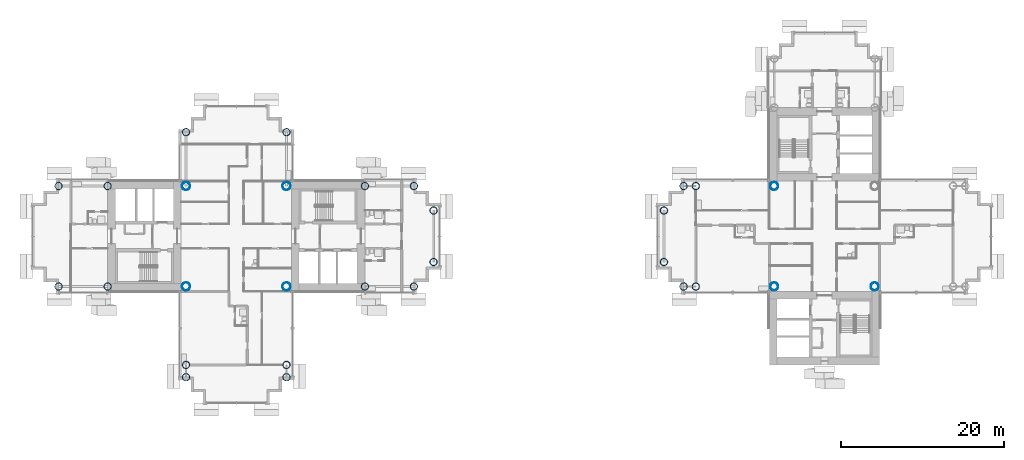
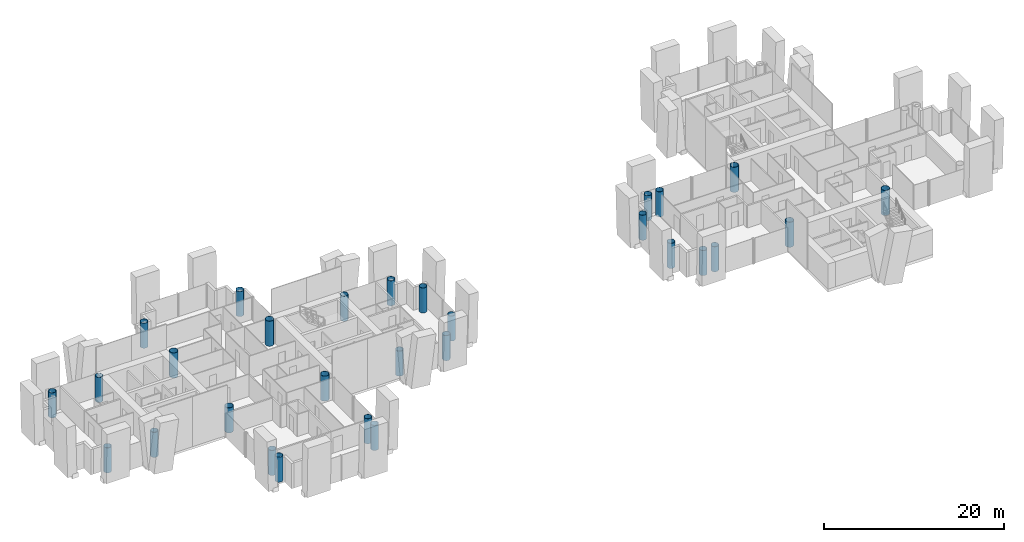
# One storey, part 1 of 20: 29 columns.
"""IFC4 building model written with IfcOpenShell, lengths in metres."""

from ifc_helpers import new_model, si_unit, direction, frame, origin, origin_2d, place, context, subcontext, project, spatial, hollow_circle, extrude, material, material_profile, profile_set, type_object, element, save


model = new_model("IFC4")

# Units and contexts
model_context = context("Model", 3, precision=1e-05, world=origin(), true_north=direction((0.0, 1.0)))
body_context = subcontext(model_context, "Body", "Model", "MODEL_VIEW")
ifc_project = project(units=[si_unit("LENGTHUNIT", "METRE"), si_unit("AREAUNIT", "SQUARE_METRE"), si_unit("VOLUMEUNIT", "CUBIC_METRE"), si_unit("PLANEANGLEUNIT", "RADIAN"), si_unit("MASSUNIT", "GRAM", prefix="KILO")], contexts=[model_context])

# Site, building, storey
site_placement = place(None, origin())
site = spatial("IfcSite", under=ifc_project, at=site_placement, CompositionType="ELEMENT")
building_placement = place(site_placement, origin())
building = spatial("IfcBuilding", under=site, at=building_placement, Name="Ipe Terrace Towers", CompositionType="ELEMENT")
storey_placement = place(building_placement, frame((0.0, 0.0, 100.39990234375)))
storey = spatial("IfcBuildingStorey", under=building, at=storey_placement, Name="L27", CompositionType="ELEMENT", Elevation=100.39990234375)

# Columns
ifc_material_1 = material(Name="Steel S355 tube with Concrete C60/75 fill", Category="concrete")
ifc_material_profile_1 = material_profile(ifc_material_1, hollow_circle(Radius=0.5, WallThickness=0.035888671875, at=origin_2d()), Name="CHS-1000x36")
ifc_profile_set_1 = profile_set([ifc_material_profile_1], Name="Steel S355 tube with Concrete C60/75 fill")
column_type_1 = type_object("IfcColumnType", Name="CH01 COLUMN CHS-1000x36", PredefinedType="COLUMN", material=ifc_profile_set_1)
for number, where, z_axis, x_axis, name in (
    (1, (-42.14990234375, -6.14990234375, 0.0), (0.0, 0.0, 1.0), (1.0, 0.0, 0.0), "Column T1-C-E01"),
    (2, (-29.85009765625, -6.14990234375, 0.0), (0.0, 0.0, 1.0), (1.0, 0.0, 0.0), "Column T1-C-E02"),
    (3, (-29.85009765625, 6.14990234375, 0.0), (0.0, 0.0, 1.0), (1.0, 0.0, 0.0), "Column T1-C-E03"),
    (4, (-42.14990234375, 6.14990234375, 0.0), (0.0, 0.0, 1.0), (1.0, 0.0, 0.0), "Column T1-C-E04"),
    (5, (42.14990234375, -6.14990234375, 0.0), (0.0, 0.0, 1.0), (1.0, 0.0, 0.0), "Column T2-C-E01"),
    (6, (29.85009765625, 6.14990234375, 0.0), (0.0, 0.0, 1.0), (1.0, 0.0, 0.0), "Column T2-C-E03"),
    (7, (29.85009765625, -6.14990234375, 0.0), (0.0, 0.0, 1.0), (1.0, 0.0, 0.0), "Column T2-C-E04"),
):
    element("IfcColumn", number, at=place(storey_placement, frame(where, z_axis=z_axis, x_axis=x_axis)), inside=storey, type_object=column_type_1, Name=name, PredefinedType="COLUMN", context=body_context, shape_type="SweptSolid", body=[
        extrude(hollow_circle(Radius=0.5, WallThickness=0.035888671875, at=origin_2d()), origin(), (0.0, 0.0, 1.0), 3.400146484375),
    ])
ifc_material_2 = material(Name="Steel S355 tube with Concrete C60/75 fill", Category="concrete")
ifc_material_profile_2 = material_profile(ifc_material_2, hollow_circle(Radius=0.449951171875, WallThickness=0.031982421875, at=origin_2d()), Name="CHS-900x32")
ifc_profile_set_2 = profile_set([ifc_material_profile_2], Name="Steel S355 tube with Concrete C60/75 fill")
column_type_2 = type_object("IfcColumnType", Name="CH10 COLUMN CHS-900x32", PredefinedType="COLUMN", material=ifc_profile_set_2)
for number, where, z_axis, x_axis, name in (
    (8, (-20.25, -6.14990234375, 0.0), (0.0, 0.0, 1.0), (1.0, 0.0, 0.0), "Column T1-C-A01"),
    (9, (-20.25, 6.14990234375, 0.0), (0.0, 0.0, 1.0), (1.0, 0.0, 0.0), "Column T1-C-A02"),
    (10, (-14.25, -6.14990234375, 0.0), (0.0, 0.0, 1.0), (1.0, 0.0, 0.0), "Column T1-C-A03"),
    (11, (-14.25, 6.14990234375, 0.0), (0.0, 0.0, 1.0), (1.0, 0.0, 0.0), "Column T1-C-A04"),
    (12, (-11.85009765625, -3.14990234375, 0.0), (0.0, 0.0, 1.0), (1.0, 0.0, 0.0), "Column T1-C-A05"),
    (13, (-11.85009765625, 3.14990234375, 0.0), (0.0, 0.0, 1.0), (1.0, 0.0, 0.0), "Column T1-C-A06"),
    (14, (-29.85009765625, 12.75, 0.0), (0.0, 0.0, 1.0), (1.0, 0.0, 0.0), "Column T1-C-B01"),
    (15, (-42.14990234375, 12.75, 0.0), (0.0, 0.0, 1.0), (1.0, 0.0, 0.0), "Column T1-C-B02"),
    (16, (-51.75, -6.14990234375, 0.0), (0.0, 0.0, 1.0), (1.0, 0.0, 0.0), "Column T1-C-C01"),
    (17, (-51.75, 6.14990234375, 0.0), (0.0, 0.0, 1.0), (1.0, 0.0, 0.0), "Column T1-C-C02"),
    (18, (-57.75, -6.14990234375, 0.0), (0.0, 0.0, 1.0), (1.0, 0.0, 0.0), "Column T1-C-C03"),
    (19, (-57.75, 6.14990234375, 0.0), (0.0, 0.0, 1.0), (1.0, 0.0, 0.0), "Column T1-C-C04"),
    (20, (-42.14990234375, -15.75, 0.0), (0.0, 0.0, 1.0), (1.0, 0.0, 0.0), "Column T1-C-D03"),
    (21, (-29.85009765625, -15.75, 0.0), (0.0, 0.0, 1.0), (1.0, 0.0, 0.0), "Column T1-C-D04"),
    (22, (-42.14990234375, -17.25, 0.0), (0.0, 0.0, 1.0), (1.0, 0.0, 0.0), "Column T1-C-D05"),
    (23, (-29.85009765625, -17.25, 0.0), (0.0, 0.0, 1.0), (1.0, 0.0, 0.0), "Column T1-C-D06"),
    (24, (20.25, 6.14990234375, 0.0), (0.0, 0.0, 1.0), (1.0, 0.0, 0.0), "Column T2-C-B03"),
    (25, (20.25, -6.14990234375, 0.0), (0.0, 0.0, 1.0), (1.0, 0.0, 0.0), "Column T2-C-B04"),
    (26, (18.75, 6.14990234375, 0.0), (0.0, 0.0, 1.0), (1.0, 0.0, 0.0), "Column T2-C-B05"),
    (27, (18.75, -6.14990234375, 0.0), (0.0, 0.0, 1.0), (1.0, 0.0, 0.0), "Column T2-C-B06"),
    (28, (16.35009765625, 3.14990234375, 0.0), (0.0, 0.0, 1.0), (1.0, 0.0, 0.0), "Column T2-C-B07"),
    (29, (16.35009765625, -3.14990234375, 0.0), (0.0, 0.0, 1.0), (1.0, 0.0, 0.0), "Column T2-C-B08"),
):
    element("IfcColumn", number, at=place(storey_placement, frame(where, z_axis=z_axis, x_axis=x_axis)), inside=storey, type_object=column_type_2, Name=name, PredefinedType="COLUMN", context=body_context, shape_type="SweptSolid", body=[
        extrude(hollow_circle(Radius=0.449951171875, WallThickness=0.031982421875, at=origin_2d()), origin(), (0.0, 0.0, 1.0), 3.400146484375),
    ])

save(model, "model.ifc")
